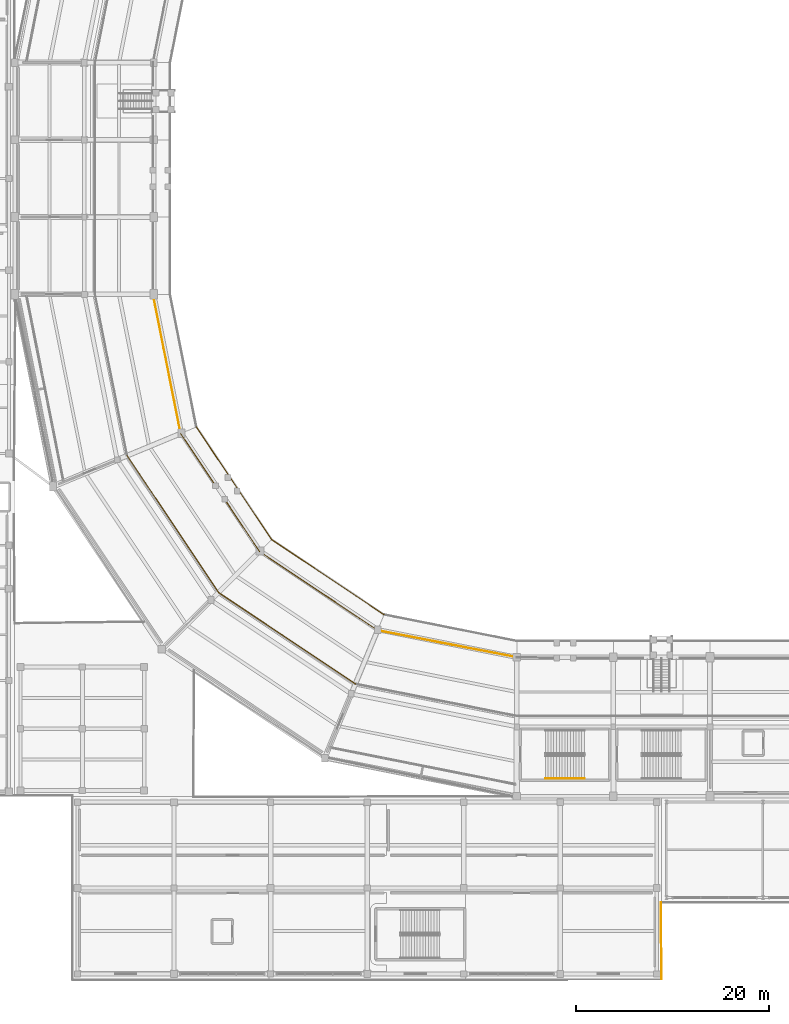
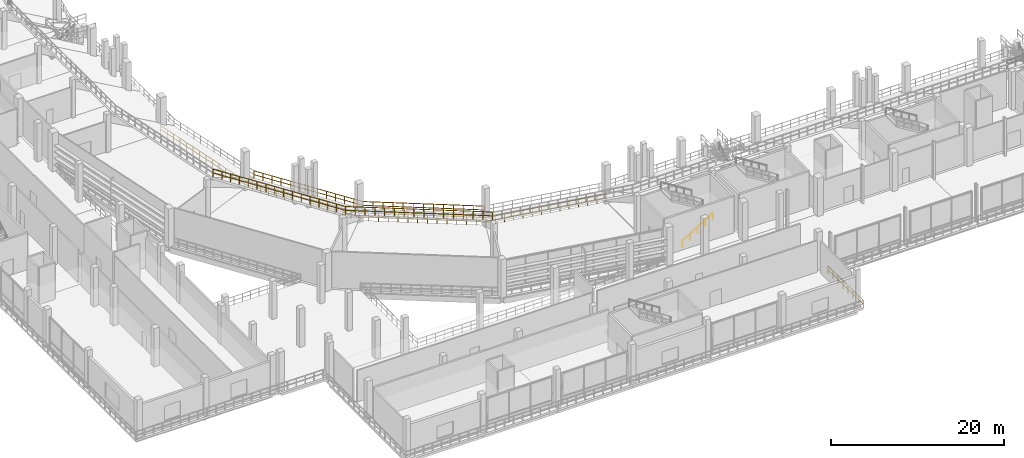
# One storey, part 98 of 127: 11 railings.
"""IFC4 building model written with IfcOpenShell, lengths in metres."""

from ifc_helpers import new_model, si_unit, direction, frame, origin, origin_2d, place, context, subcontext, project, spatial, circle, extrude, material, layer, layer_set, type_object, element, save


model = new_model("IFC4")

# Units and contexts
model_context = context("Model", 3, precision=1e-05, world=origin(), true_north=direction((0.0, 1.0)))
body_context = subcontext(model_context, "Body", "Model", "MODEL_VIEW")
ifc_project = project(units=[si_unit("LENGTHUNIT", "METRE"), si_unit("AREAUNIT", "SQUARE_METRE"), si_unit("VOLUMEUNIT", "CUBIC_METRE"), si_unit("PLANEANGLEUNIT", "RADIAN"), si_unit("MASSUNIT", "GRAM", prefix="KILO")], contexts=[model_context])

# Site, building, storey
site_placement = place(None, origin())
site = spatial("IfcSite", under=ifc_project, at=site_placement, CompositionType="ELEMENT")
building_placement = place(site_placement, origin())
building = spatial("IfcBuilding", under=site, at=building_placement, Name="Candeia Ridge Stadium", CompositionType="ELEMENT")
storey_placement = place(building_placement, frame((0.0, 0.0, 10.800048828125)))
storey = spatial("IfcBuildingStorey", under=building, at=storey_placement, Name="L02", CompositionType="ELEMENT", Elevation=10.800048828125)

# Railings
ifc_material_1 = material(Name="Galvanized Powder-Coated Steel", Category="steel")
ifc_layer_1 = layer(ifc_material_1, 0.074951171875, Name="Galvanized Powder-Coated Steel", Category="steel")
ifc_layer_set_1 = layer_set([ifc_layer_1], Name="Galvanized Powder-Coated Steel")
railing_type_1 = type_object("IfcRailingType", Name="Spectator Bowl Front Guardrail 1120", PredefinedType="GUARDRAIL", material=ifc_layer_set_1)
railing_1_placement = place(storey_placement, frame((37.814208984375, 57.25390625, 0.39990234375)))
element("IfcRailing", 1, at=railing_1_placement, inside=storey, type_object=railing_type_1, Name="Stand T2 front safety guardrail bay 16", PredefinedType="GUARDRAIL", context=body_context, shape_type="SweptSolid", body=[
    extrude(circle(Radius=0.02392578125, at=origin_2d()), frame((0.0, 0.0, 1.09619140625), z_axis=(0.555584268224, -0.831460234107, 0.0), x_axis=(0.831460234107, 0.555584268224, 0.0)), (0.0, 0.0, 1.0), 14.01513671875),
    extrude(circle(Radius=0.02392578125, at=origin_2d()), frame((0.0, 0.0, 0.56005859375), z_axis=(0.555584268224, -0.831460234107, 0.0), x_axis=(0.831460234107, 0.555584268224, 0.0)), (0.0, 0.0, 1.0), 14.01513671875),
    extrude(circle(Radius=0.02099609375, at=origin_2d()), origin(), (0.0, 0.0, 1.0), 1.072021484375),
    extrude(circle(Radius=0.02099609375, at=origin_2d()), frame((0.64892578125, -0.97119140625, 0.0)), (0.0, 0.0, 1.0), 1.072021484375),
    extrude(circle(Radius=0.02099609375, at=origin_2d()), frame((1.2978515625, -1.942138671875, 0.0)), (0.0, 0.0, 1.0), 1.072021484375),
    extrude(circle(Radius=0.02099609375, at=origin_2d()), frame((1.94677734375, -2.913330078125, 0.0)), (0.0, 0.0, 1.0), 1.072021484375),
    extrude(circle(Radius=0.02099609375, at=origin_2d()), frame((2.595458984375, -3.88427734375, 0.0)), (0.0, 0.0, 1.0), 1.072021484375),
    extrude(circle(Radius=0.02099609375, at=origin_2d()), frame((3.244384765625, -4.85546875, 0.0)), (0.0, 0.0, 1.0), 1.072021484375),
    extrude(circle(Radius=0.02099609375, at=origin_2d()), frame((3.893310546875, -5.82666015625, 0.0)), (0.0, 0.0, 1.0), 1.072021484375),
    extrude(circle(Radius=0.02099609375, at=origin_2d()), frame((4.542236328125, -6.797607421875, 0.0)), (0.0, 0.0, 1.0), 1.072021484375),
    extrude(circle(Radius=0.02099609375, at=origin_2d()), frame((5.191162109375, -7.768798828125, 0.0)), (0.0, 0.0, 1.0), 1.072021484375),
    extrude(circle(Radius=0.02099609375, at=origin_2d()), frame((5.83984375, -8.73974609375, 0.0)), (0.0, 0.0, 1.0), 1.072021484375),
    extrude(circle(Radius=0.02099609375, at=origin_2d()), frame((6.48876953125, -9.7109375, 0.0)), (0.0, 0.0, 1.0), 1.072021484375),
    extrude(circle(Radius=0.02099609375, at=origin_2d()), frame((7.1376953125, -10.681884765625, 0.0)), (0.0, 0.0, 1.0), 1.072021484375),
    extrude(circle(Radius=0.02099609375, at=origin_2d()), frame((7.78662109375, -11.653076171875, 0.0)), (0.0, 0.0, 1.0), 1.072021484375),
])
railing_2_placement = place(storey_placement, frame((30.64501953125, 54.284423828125, 4.949951171875)))
element("IfcRailing", 2, at=railing_2_placement, inside=storey, type_object=railing_type_1, Name="Stand T2 rear safety guardrail bay 16", PredefinedType="GUARDRAIL", context=body_context, shape_type="SweptSolid", body=[
    extrude(circle(Radius=0.02392578125, at=origin_2d()), frame((0.0, 0.0, 1.09619140625), z_axis=(0.5555626979, -0.831474647059, 0.0), x_axis=(0.831474647059, 0.5555626979, 0.0)), (0.0, 0.0, 1.0), 17.043212890625),
    extrude(circle(Radius=0.02392578125, at=origin_2d()), frame((0.0, 0.0, 0.56005859375), z_axis=(0.5555626979, -0.831474647059, 0.0), x_axis=(0.831474647059, 0.5555626979, 0.0)), (0.0, 0.0, 1.0), 17.043212890625),
    extrude(circle(Radius=0.02099609375, at=origin_2d()), origin(), (0.0, 0.0, 1.0), 1.072021484375),
    extrude(circle(Radius=0.02099609375, at=origin_2d()), frame((0.63134765625, -0.94482421875, 0.0)), (0.0, 0.0, 1.0), 1.072021484375),
    extrude(circle(Radius=0.02099609375, at=origin_2d()), frame((1.262451171875, -1.889404296875, 0.0)), (0.0, 0.0, 1.0), 1.072021484375),
    extrude(circle(Radius=0.02099609375, at=origin_2d()), frame((1.893798828125, -2.834228515625, 0.0)), (0.0, 0.0, 1.0), 1.072021484375),
    extrude(circle(Radius=0.02099609375, at=origin_2d()), frame((2.52490234375, -3.77880859375, 0.0)), (0.0, 0.0, 1.0), 1.072021484375),
    extrude(circle(Radius=0.02099609375, at=origin_2d()), frame((3.15625, -4.7236328125, 0.0)), (0.0, 0.0, 1.0), 1.072021484375),
    extrude(circle(Radius=0.02099609375, at=origin_2d()), frame((3.787353515625, -5.66845703125, 0.0)), (0.0, 0.0, 1.0), 1.072021484375),
    extrude(circle(Radius=0.02099609375, at=origin_2d()), frame((4.418701171875, -6.613037109375, 0.0)), (0.0, 0.0, 1.0), 1.072021484375),
    extrude(circle(Radius=0.02099609375, at=origin_2d()), frame((5.0498046875, -7.557861328125, 0.0)), (0.0, 0.0, 1.0), 1.072021484375),
    extrude(circle(Radius=0.02099609375, at=origin_2d()), frame((5.68115234375, -8.50244140625, 0.0)), (0.0, 0.0, 1.0), 1.072021484375),
    extrude(circle(Radius=0.02099609375, at=origin_2d()), frame((6.312255859375, -9.447265625, 0.0)), (0.0, 0.0, 1.0), 1.072021484375),
    extrude(circle(Radius=0.02099609375, at=origin_2d()), frame((6.943603515625, -10.39208984375, 0.0)), (0.0, 0.0, 1.0), 1.072021484375),
    extrude(circle(Radius=0.02099609375, at=origin_2d()), frame((7.57470703125, -11.336669921875, 0.0)), (0.0, 0.0, 1.0), 1.072021484375),
    extrude(circle(Radius=0.02099609375, at=origin_2d()), frame((8.2060546875, -12.281494140625, 0.0)), (0.0, 0.0, 1.0), 1.072021484375),
    extrude(circle(Radius=0.02099609375, at=origin_2d()), frame((8.837158203125, -13.22607421875, 0.0)), (0.0, 0.0, 1.0), 1.072021484375),
    extrude(circle(Radius=0.02099609375, at=origin_2d()), frame((9.468505859375, -14.1708984375, 0.0)), (0.0, 0.0, 1.0), 1.072021484375),
])
railing_3_placement = place(storey_placement, frame((45.600830078125, 45.600830078125, 0.39990234375)))
element("IfcRailing", 3, at=railing_3_placement, inside=storey, type_object=railing_type_1, Name="Stand T2 front safety guardrail bay 17", PredefinedType="GUARDRAIL", context=body_context, shape_type="SweptSolid", body=[
    extrude(circle(Radius=0.02392578125, at=origin_2d()), frame((0.0, 0.0, 1.09619140625), z_axis=(0.831460234107, -0.555584268224, 0.0), x_axis=(0.555584268224, 0.831460234107, 0.0)), (0.0, 0.0, 1.0), 14.01513671875),
    extrude(circle(Radius=0.02392578125, at=origin_2d()), frame((0.0, 0.0, 0.56005859375), z_axis=(0.831460234107, -0.555584268224, 0.0), x_axis=(0.555584268224, 0.831460234107, 0.0)), (0.0, 0.0, 1.0), 14.01513671875),
    extrude(circle(Radius=0.02099609375, at=origin_2d()), origin(), (0.0, 0.0, 1.0), 1.072021484375),
    extrude(circle(Radius=0.02099609375, at=origin_2d()), frame((0.97119140625, -0.64892578125, 0.0)), (0.0, 0.0, 1.0), 1.072021484375),
    extrude(circle(Radius=0.02099609375, at=origin_2d()), frame((1.942138671875, -1.2978515625, 0.0)), (0.0, 0.0, 1.0), 1.072021484375),
    extrude(circle(Radius=0.02099609375, at=origin_2d()), frame((2.913330078125, -1.94677734375, 0.0)), (0.0, 0.0, 1.0), 1.072021484375),
    extrude(circle(Radius=0.02099609375, at=origin_2d()), frame((3.88427734375, -2.595458984375, 0.0)), (0.0, 0.0, 1.0), 1.072021484375),
    extrude(circle(Radius=0.02099609375, at=origin_2d()), frame((4.85546875, -3.244384765625, 0.0)), (0.0, 0.0, 1.0), 1.072021484375),
    extrude(circle(Radius=0.02099609375, at=origin_2d()), frame((5.82666015625, -3.893310546875, 0.0)), (0.0, 0.0, 1.0), 1.072021484375),
    extrude(circle(Radius=0.02099609375, at=origin_2d()), frame((6.797607421875, -4.542236328125, 0.0)), (0.0, 0.0, 1.0), 1.072021484375),
    extrude(circle(Radius=0.02099609375, at=origin_2d()), frame((7.768798828125, -5.191162109375, 0.0)), (0.0, 0.0, 1.0), 1.072021484375),
    extrude(circle(Radius=0.02099609375, at=origin_2d()), frame((8.73974609375, -5.83984375, 0.0)), (0.0, 0.0, 1.0), 1.072021484375),
    extrude(circle(Radius=0.02099609375, at=origin_2d()), frame((9.7109375, -6.48876953125, 0.0)), (0.0, 0.0, 1.0), 1.072021484375),
    extrude(circle(Radius=0.02099609375, at=origin_2d()), frame((10.681884765625, -7.1376953125, 0.0)), (0.0, 0.0, 1.0), 1.072021484375),
    extrude(circle(Radius=0.02099609375, at=origin_2d()), frame((11.653076171875, -7.78662109375, 0.0)), (0.0, 0.0, 1.0), 1.072021484375),
])
railing_4_placement = place(storey_placement, frame((40.113525390625, 40.113525390625, 4.949951171875)))
element("IfcRailing", 4, at=railing_4_placement, inside=storey, type_object=railing_type_1, Name="Stand T2 rear safety guardrail bay 17", PredefinedType="GUARDRAIL", context=body_context, shape_type="SweptSolid", body=[
    extrude(circle(Radius=0.02392578125, at=origin_2d()), frame((0.0, 0.0, 1.09619140625), z_axis=(0.831474647059, -0.5555626979, 0.0), x_axis=(0.5555626979, 0.831474647059, 0.0)), (0.0, 0.0, 1.0), 17.043212890625),
    extrude(circle(Radius=0.02392578125, at=origin_2d()), frame((0.0, 0.0, 0.56005859375), z_axis=(0.831474647059, -0.5555626979, 0.0), x_axis=(0.5555626979, 0.831474647059, 0.0)), (0.0, 0.0, 1.0), 17.043212890625),
    extrude(circle(Radius=0.02099609375, at=origin_2d()), origin(), (0.0, 0.0, 1.0), 1.072021484375),
    extrude(circle(Radius=0.02099609375, at=origin_2d()), frame((0.94482421875, -0.63134765625, 0.0)), (0.0, 0.0, 1.0), 1.072021484375),
    extrude(circle(Radius=0.02099609375, at=origin_2d()), frame((1.889404296875, -1.262451171875, 0.0)), (0.0, 0.0, 1.0), 1.072021484375),
    extrude(circle(Radius=0.02099609375, at=origin_2d()), frame((2.834228515625, -1.893798828125, 0.0)), (0.0, 0.0, 1.0), 1.072021484375),
    extrude(circle(Radius=0.02099609375, at=origin_2d()), frame((3.77880859375, -2.52490234375, 0.0)), (0.0, 0.0, 1.0), 1.072021484375),
    extrude(circle(Radius=0.02099609375, at=origin_2d()), frame((4.7236328125, -3.15625, 0.0)), (0.0, 0.0, 1.0), 1.072021484375),
    extrude(circle(Radius=0.02099609375, at=origin_2d()), frame((5.66845703125, -3.787353515625, 0.0)), (0.0, 0.0, 1.0), 1.072021484375),
    extrude(circle(Radius=0.02099609375, at=origin_2d()), frame((6.613037109375, -4.418701171875, 0.0)), (0.0, 0.0, 1.0), 1.072021484375),
    extrude(circle(Radius=0.02099609375, at=origin_2d()), frame((7.557861328125, -5.0498046875, 0.0)), (0.0, 0.0, 1.0), 1.072021484375),
    extrude(circle(Radius=0.02099609375, at=origin_2d()), frame((8.50244140625, -5.68115234375, 0.0)), (0.0, 0.0, 1.0), 1.072021484375),
    extrude(circle(Radius=0.02099609375, at=origin_2d()), frame((9.447265625, -6.312255859375, 0.0)), (0.0, 0.0, 1.0), 1.072021484375),
    extrude(circle(Radius=0.02099609375, at=origin_2d()), frame((10.39208984375, -6.943603515625, 0.0)), (0.0, 0.0, 1.0), 1.072021484375),
    extrude(circle(Radius=0.02099609375, at=origin_2d()), frame((11.336669921875, -7.57470703125, 0.0)), (0.0, 0.0, 1.0), 1.072021484375),
    extrude(circle(Radius=0.02099609375, at=origin_2d()), frame((12.281494140625, -8.2060546875, 0.0)), (0.0, 0.0, 1.0), 1.072021484375),
    extrude(circle(Radius=0.02099609375, at=origin_2d()), frame((13.22607421875, -8.837158203125, 0.0)), (0.0, 0.0, 1.0), 1.072021484375),
    extrude(circle(Radius=0.02099609375, at=origin_2d()), frame((14.1708984375, -9.468505859375, 0.0)), (0.0, 0.0, 1.0), 1.072021484375),
])
railing_5_placement = place(storey_placement, frame((85.919921875, 8.0, 0.0)))
element("IfcRailing", 5, at=railing_5_placement, inside=storey, type_object=railing_type_1, Name="Deck edge safety guardrail GR-DE-L02-0069", PredefinedType="GUARDRAIL", context=body_context, shape_type="SweptSolid", body=[
    extrude(circle(Radius=0.02392578125, at=origin_2d()), frame((0.0, 0.0, 1.09619140625), z_axis=(0.010009264196, -0.99994990606, 0.0), x_axis=(0.99994990606, 0.010009264196, 0.0)), (0.0, 0.0, 1.0), 8.00048828125),
    extrude(circle(Radius=0.02392578125, at=origin_2d()), frame((0.0, 0.0, 0.56005859375), z_axis=(0.010009264196, -0.99994990606, 0.0), x_axis=(0.99994990606, 0.010009264196, 0.0)), (0.0, 0.0, 1.0), 8.00048828125),
    extrude(circle(Radius=0.02099609375, at=origin_2d()), origin(), (0.0, 0.0, 1.0), 1.072021484375),
    extrude(circle(Radius=0.02099609375, at=origin_2d()), frame((0.011474609375, -1.142822265625, 0.0)), (0.0, 0.0, 1.0), 1.072021484375),
    extrude(circle(Radius=0.02099609375, at=origin_2d()), frame((0.02294921875, -2.28564453125, 0.0)), (0.0, 0.0, 1.0), 1.072021484375),
    extrude(circle(Radius=0.02099609375, at=origin_2d()), frame((0.034423828125, -3.428466796875, 0.0)), (0.0, 0.0, 1.0), 1.072021484375),
    extrude(circle(Radius=0.02099609375, at=origin_2d()), frame((0.045654296875, -4.571533203125, 0.0)), (0.0, 0.0, 1.0), 1.072021484375),
    extrude(circle(Radius=0.02099609375, at=origin_2d()), frame((0.05712890625, -5.71435546875, 0.0)), (0.0, 0.0, 1.0), 1.072021484375),
    extrude(circle(Radius=0.02099609375, at=origin_2d()), frame((0.068603515625, -6.857177734375, 0.0)), (0.0, 0.0, 1.0), 1.072021484375),
    extrude(circle(Radius=0.02099609375, at=origin_2d()), frame((0.080078125, -8.0, 0.0)), (0.0, 0.0, 1.0), 1.072021484375),
])
railing_6_placement = place(storey_placement, frame((33.321533203125, 70.984375, 0.0)))
element("IfcRailing", 6, at=railing_6_placement, inside=storey, type_object=railing_type_1, Name="Deck edge safety guardrail GR-DE-L02-0114", PredefinedType="GUARDRAIL", context=body_context, shape_type="SweptSolid", body=[
    extrude(circle(Radius=0.02392578125, at=origin_2d()), frame((0.0, 0.0, 1.09619140625), z_axis=(0.19549334665, -0.98070502773, 0.0), x_axis=(0.98070502773, 0.19549334665, 0.0)), (0.0, 0.0, 1.0), 14.701416015625),
    extrude(circle(Radius=0.02392578125, at=origin_2d()), frame((0.0, 0.0, 0.56005859375), z_axis=(0.19549334665, -0.98070502773, 0.0), x_axis=(0.98070502773, 0.19549334665, 0.0)), (0.0, 0.0, 1.0), 14.701416015625),
    extrude(circle(Radius=0.02099609375, at=origin_2d()), origin(), (0.0, 0.0, 1.0), 1.072021484375),
    extrude(circle(Radius=0.02099609375, at=origin_2d()), frame((0.22119140625, -1.109130859375, 0.0)), (0.0, 0.0, 1.0), 1.072021484375),
    extrude(circle(Radius=0.02099609375, at=origin_2d()), frame((0.442138671875, -2.218017578125, 0.0)), (0.0, 0.0, 1.0), 1.072021484375),
    extrude(circle(Radius=0.02099609375, at=origin_2d()), frame((0.663330078125, -3.3271484375, 0.0)), (0.0, 0.0, 1.0), 1.072021484375),
    extrude(circle(Radius=0.02099609375, at=origin_2d()), frame((0.88427734375, -4.436279296875, 0.0)), (0.0, 0.0, 1.0), 1.072021484375),
    extrude(circle(Radius=0.02099609375, at=origin_2d()), frame((1.10546875, -5.545166015625, 0.0)), (0.0, 0.0, 1.0), 1.072021484375),
    extrude(circle(Radius=0.02099609375, at=origin_2d()), frame((1.326416015625, -6.654296875, 0.0)), (0.0, 0.0, 1.0), 1.072021484375),
    extrude(circle(Radius=0.02099609375, at=origin_2d()), frame((1.547607421875, -7.763427734375, 0.0)), (0.0, 0.0, 1.0), 1.072021484375),
    extrude(circle(Radius=0.02099609375, at=origin_2d()), frame((1.7685546875, -8.87255859375, 0.0)), (0.0, 0.0, 1.0), 1.072021484375),
    extrude(circle(Radius=0.02099609375, at=origin_2d()), frame((1.98974609375, -9.9814453125, 0.0)), (0.0, 0.0, 1.0), 1.072021484375),
    extrude(circle(Radius=0.02099609375, at=origin_2d()), frame((2.210693359375, -11.090576171875, 0.0)), (0.0, 0.0, 1.0), 1.072021484375),
    extrude(circle(Radius=0.02099609375, at=origin_2d()), frame((2.431884765625, -12.19970703125, 0.0)), (0.0, 0.0, 1.0), 1.072021484375),
    extrude(circle(Radius=0.02099609375, at=origin_2d()), frame((2.65283203125, -13.30859375, 0.0)), (0.0, 0.0, 1.0), 1.072021484375),
    extrude(circle(Radius=0.02099609375, at=origin_2d()), frame((2.8740234375, -14.417724609375, 0.0)), (0.0, 0.0, 1.0), 1.072021484375),
])
railing_7_placement = place(storey_placement, frame((36.195556640625, 56.566650390625, 0.0)))
element("IfcRailing", 7, at=railing_7_placement, inside=storey, type_object=railing_type_1, Name="Deck edge safety guardrail GR-DE-L02-0115", PredefinedType="GUARDRAIL", context=body_context, shape_type="SweptSolid", body=[
    extrude(circle(Radius=0.02392578125, at=origin_2d()), frame((0.0, 0.0, 1.09619140625), z_axis=(0.555580177427, -0.831462967576, 0.0), x_axis=(0.831462967576, 0.555580177427, 0.0)), (0.0, 0.0, 1.0), 6.14404296875),
    extrude(circle(Radius=0.02392578125, at=origin_2d()), frame((0.0, 0.0, 0.56005859375), z_axis=(0.555580177427, -0.831462967576, 0.0), x_axis=(0.831462967576, 0.555580177427, 0.0)), (0.0, 0.0, 1.0), 6.14404296875),
    extrude(circle(Radius=0.02099609375, at=origin_2d()), origin(), (0.0, 0.0, 1.0), 1.072021484375),
    extrude(circle(Radius=0.02099609375, at=origin_2d()), frame((0.56884765625, -0.8515625, 0.0)), (0.0, 0.0, 1.0), 1.072021484375),
    extrude(circle(Radius=0.02099609375, at=origin_2d()), frame((1.137939453125, -1.702880859375, 0.0)), (0.0, 0.0, 1.0), 1.072021484375),
    extrude(circle(Radius=0.02099609375, at=origin_2d()), frame((1.706787109375, -2.55419921875, 0.0)), (0.0, 0.0, 1.0), 1.072021484375),
    extrude(circle(Radius=0.02099609375, at=origin_2d()), frame((2.275634765625, -3.40576171875, 0.0)), (0.0, 0.0, 1.0), 1.072021484375),
    extrude(circle(Radius=0.02099609375, at=origin_2d()), frame((2.8447265625, -4.25732421875, 0.0)), (0.0, 0.0, 1.0), 1.072021484375),
    extrude(circle(Radius=0.02099609375, at=origin_2d()), frame((3.41357421875, -5.108642578125, 0.0)), (0.0, 0.0, 1.0), 1.072021484375),
])
railing_8_placement = place(storey_placement, frame((40.9326171875, 49.47705078125, 0.0)))
element("IfcRailing", 8, at=railing_8_placement, inside=storey, type_object=railing_type_1, Name="Deck edge safety guardrail GR-DE-L02-0116", PredefinedType="GUARDRAIL", context=body_context, shape_type="SweptSolid", body=[
    extrude(circle(Radius=0.02392578125, at=origin_2d()), frame((0.0, 0.0, 1.09619140625), z_axis=(0.556405206712, -0.830911093886, 0.0), x_axis=(0.830911093886, 0.556405206712, 0.0)), (0.0, 0.0, 1.0), 6.175048828125),
    extrude(circle(Radius=0.02392578125, at=origin_2d()), frame((0.0, 0.0, 0.56005859375), z_axis=(0.556405206712, -0.830911093886, 0.0), x_axis=(0.830911093886, 0.556405206712, 0.0)), (0.0, 0.0, 1.0), 6.175048828125),
    extrude(circle(Radius=0.02099609375, at=origin_2d()), origin(), (0.0, 0.0, 1.0), 1.072021484375),
    extrude(circle(Radius=0.02099609375, at=origin_2d()), frame((0.57275390625, -0.855224609375, 0.0)), (0.0, 0.0, 1.0), 1.072021484375),
    extrude(circle(Radius=0.02099609375, at=origin_2d()), frame((1.145263671875, -1.710205078125, 0.0)), (0.0, 0.0, 1.0), 1.072021484375),
    extrude(circle(Radius=0.02099609375, at=origin_2d()), frame((1.7177734375, -2.5654296875, 0.0)), (0.0, 0.0, 1.0), 1.072021484375),
    extrude(circle(Radius=0.02099609375, at=origin_2d()), frame((2.29052734375, -3.420654296875, 0.0)), (0.0, 0.0, 1.0), 1.072021484375),
    extrude(circle(Radius=0.02099609375, at=origin_2d()), frame((2.86328125, -4.275634765625, 0.0)), (0.0, 0.0, 1.0), 1.072021484375),
    extrude(circle(Radius=0.02099609375, at=origin_2d()), frame((3.435791015625, -5.130859375, 0.0)), (0.0, 0.0, 1.0), 1.072021484375),
])
railing_9_placement = place(storey_placement, frame((44.368408203125, 44.34619140625, 0.0)))
element("IfcRailing", 9, at=railing_9_placement, inside=storey, type_object=railing_type_1, Name="Deck edge safety guardrail GR-DE-L02-0117", PredefinedType="GUARDRAIL", context=body_context, shape_type="SweptSolid", body=[
    extrude(circle(Radius=0.02392578125, at=origin_2d()), frame((0.0, 0.0, 1.09619140625), z_axis=(0.831697552907, -0.55522894421, 0.0), x_axis=(0.55522894421, 0.831697552907, 0.0)), (0.0, 0.0, 1.0), 14.701416015625),
    extrude(circle(Radius=0.02392578125, at=origin_2d()), frame((0.0, 0.0, 0.56005859375), z_axis=(0.831697552907, -0.55522894421, 0.0), x_axis=(0.55522894421, 0.831697552907, 0.0)), (0.0, 0.0, 1.0), 14.701416015625),
    extrude(circle(Radius=0.02099609375, at=origin_2d()), origin(), (0.0, 0.0, 1.0), 1.072021484375),
    extrude(circle(Radius=0.02099609375, at=origin_2d()), frame((0.9404296875, -0.6279296875, 0.0)), (0.0, 0.0, 1.0), 1.072021484375),
    extrude(circle(Radius=0.02099609375, at=origin_2d()), frame((1.881103515625, -1.255859375, 0.0)), (0.0, 0.0, 1.0), 1.072021484375),
    extrude(circle(Radius=0.02099609375, at=origin_2d()), frame((2.821533203125, -1.8837890625, 0.0)), (0.0, 0.0, 1.0), 1.072021484375),
    extrude(circle(Radius=0.02099609375, at=origin_2d()), frame((3.76220703125, -2.511474609375, 0.0)), (0.0, 0.0, 1.0), 1.072021484375),
    extrude(circle(Radius=0.02099609375, at=origin_2d()), frame((4.70263671875, -3.139404296875, 0.0)), (0.0, 0.0, 1.0), 1.072021484375),
    extrude(circle(Radius=0.02099609375, at=origin_2d()), frame((5.643310546875, -3.767333984375, 0.0)), (0.0, 0.0, 1.0), 1.072021484375),
    extrude(circle(Radius=0.02099609375, at=origin_2d()), frame((6.583740234375, -4.395263671875, 0.0)), (0.0, 0.0, 1.0), 1.072021484375),
    extrude(circle(Radius=0.02099609375, at=origin_2d()), frame((7.5244140625, -5.023193359375, 0.0)), (0.0, 0.0, 1.0), 1.072021484375),
    extrude(circle(Radius=0.02099609375, at=origin_2d()), frame((8.46484375, -5.651123046875, 0.0)), (0.0, 0.0, 1.0), 1.072021484375),
    extrude(circle(Radius=0.02099609375, at=origin_2d()), frame((9.405517578125, -6.27880859375, 0.0)), (0.0, 0.0, 1.0), 1.072021484375),
    extrude(circle(Radius=0.02099609375, at=origin_2d()), frame((10.345947265625, -6.90673828125, 0.0)), (0.0, 0.0, 1.0), 1.072021484375),
    extrude(circle(Radius=0.02099609375, at=origin_2d()), frame((11.28662109375, -7.53466796875, 0.0)), (0.0, 0.0, 1.0), 1.072021484375),
    extrude(circle(Radius=0.02099609375, at=origin_2d()), frame((12.22705078125, -8.16259765625, 0.0)), (0.0, 0.0, 1.0), 1.072021484375),
])
railing_10_placement = place(storey_placement, frame((56.595458984375, 36.18359375, 0.0)))
element("IfcRailing", 10, at=railing_10_placement, inside=storey, type_object=railing_type_1, Name="Deck edge safety guardrail GR-DE-L02-0118", PredefinedType="GUARDRAIL", context=body_context, shape_type="SweptSolid", body=[
    extrude(circle(Radius=0.02392578125, at=origin_2d()), frame((0.0, 0.0, 1.09619140625), z_axis=(0.981834289828, -0.189740420885, 0.0), x_axis=(0.189740420885, 0.981834289828, 0.0)), (0.0, 0.0, 1.0), 14.671142578125),
    extrude(circle(Radius=0.02392578125, at=origin_2d()), frame((0.0, 0.0, 0.56005859375), z_axis=(0.981834289828, -0.189740420885, 0.0), x_axis=(0.189740420885, 0.981834289828, 0.0)), (0.0, 0.0, 1.0), 14.671142578125),
    extrude(circle(Radius=0.02099609375, at=origin_2d()), origin(), (0.0, 0.0, 1.0), 1.072021484375),
    extrude(circle(Radius=0.02099609375, at=origin_2d()), frame((1.108154296875, -0.214111328125, 0.0)), (0.0, 0.0, 1.0), 1.072021484375),
    extrude(circle(Radius=0.02099609375, at=origin_2d()), frame((2.216064453125, -0.42822265625, 0.0)), (0.0, 0.0, 1.0), 1.072021484375),
    extrude(circle(Radius=0.02099609375, at=origin_2d()), frame((3.32421875, -0.642333984375, 0.0)), (0.0, 0.0, 1.0), 1.072021484375),
    extrude(circle(Radius=0.02099609375, at=origin_2d()), frame((4.43212890625, -0.8564453125, 0.0)), (0.0, 0.0, 1.0), 1.072021484375),
    extrude(circle(Radius=0.02099609375, at=origin_2d()), frame((5.540283203125, -1.070556640625, 0.0)), (0.0, 0.0, 1.0), 1.072021484375),
    extrude(circle(Radius=0.02099609375, at=origin_2d()), frame((6.648193359375, -1.28466796875, 0.0)), (0.0, 0.0, 1.0), 1.072021484375),
    extrude(circle(Radius=0.02099609375, at=origin_2d()), frame((7.75634765625, -1.4990234375, 0.0)), (0.0, 0.0, 1.0), 1.072021484375),
    extrude(circle(Radius=0.02099609375, at=origin_2d()), frame((8.8642578125, -1.713134765625, 0.0)), (0.0, 0.0, 1.0), 1.072021484375),
    extrude(circle(Radius=0.02099609375, at=origin_2d()), frame((9.972412109375, -1.92724609375, 0.0)), (0.0, 0.0, 1.0), 1.072021484375),
    extrude(circle(Radius=0.02099609375, at=origin_2d()), frame((11.080322265625, -2.141357421875, 0.0)), (0.0, 0.0, 1.0), 1.072021484375),
    extrude(circle(Radius=0.02099609375, at=origin_2d()), frame((12.1884765625, -2.35546875, 0.0)), (0.0, 0.0, 1.0), 1.072021484375),
    extrude(circle(Radius=0.02099609375, at=origin_2d()), frame((13.29638671875, -2.569580078125, 0.0)), (0.0, 0.0, 1.0), 1.072021484375),
    extrude(circle(Radius=0.02099609375, at=origin_2d()), frame((14.404541015625, -2.78369140625, 0.0)), (0.0, 0.0, 1.0), 1.072021484375),
])
ifc_material_2 = material(Name="Brushed Stainless Steel", Category="steel")
ifc_layer_2 = layer(ifc_material_2, 0.048095703125, Name="Brushed Stainless Steel", Category="steel")
ifc_layer_set_2 = layer_set([ifc_layer_2], Name="Brushed Stainless Steel")
railing_type_2 = type_object("IfcRailingType", Name="Stair Wall & Flight Handrail 900", PredefinedType="HANDRAIL", material=ifc_layer_set_2)
railing_11_placement = place(storey_placement, frame((73.949951171875, 20.85009765625, 0.179931640625)))
element("IfcRailing", 11, at=railing_11_placement, inside=storey, type_object=railing_type_2, Name="L02 ST02 stair handrail 1", PredefinedType="HANDRAIL", context=body_context, shape_type="SweptSolid", body=[
    extrude(circle(Radius=0.02392578125, at=origin_2d()), frame((0.0, 0.0, 0.8759765625), z_axis=(0.849641744969, 0.0, 0.527360318194), x_axis=(0.0, 1.0, 0.0)), (0.0, 0.0, 1.0), 4.778564453125),
    extrude(circle(Radius=0.02099609375, at=origin_2d()), origin(), (0.0, 0.0, 1.0), 0.851806640625),
    extrude(circle(Radius=0.02099609375, at=origin_2d()), frame((1.01513671875, 0.0, 0.6298828125)), (0.0, 0.0, 1.0), 0.851806640625),
    extrude(circle(Radius=0.02099609375, at=origin_2d()), frame((2.030029296875, 0.0, 1.260009765625)), (0.0, 0.0, 1.0), 0.851806640625),
    extrude(circle(Radius=0.02099609375, at=origin_2d()), frame((3.044921875, 0.0, 1.89013671875)), (0.0, 0.0, 1.0), 0.851806640625),
    extrude(circle(Radius=0.02099609375, at=origin_2d()), frame((4.06005859375, 0.0, 2.52001953125)), (0.0, 0.0, 1.0), 0.851806640625),
])

save(model, "model.ifc")
